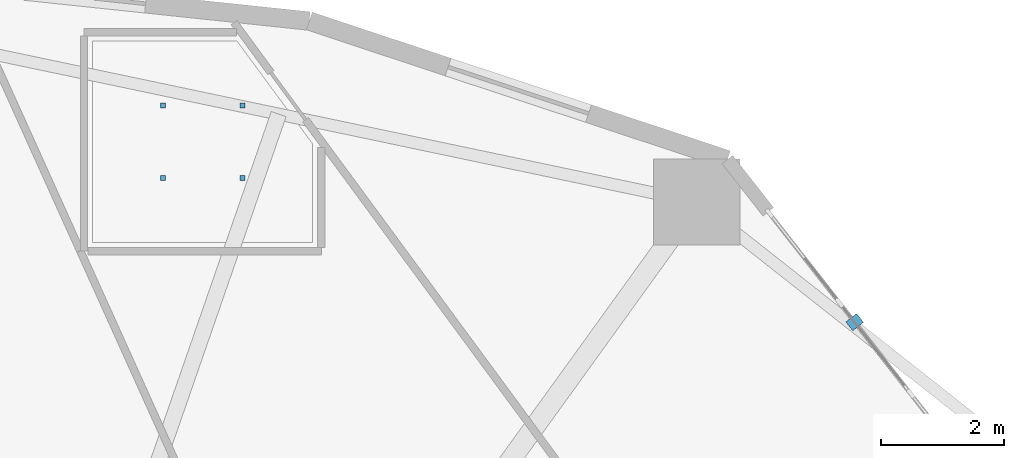
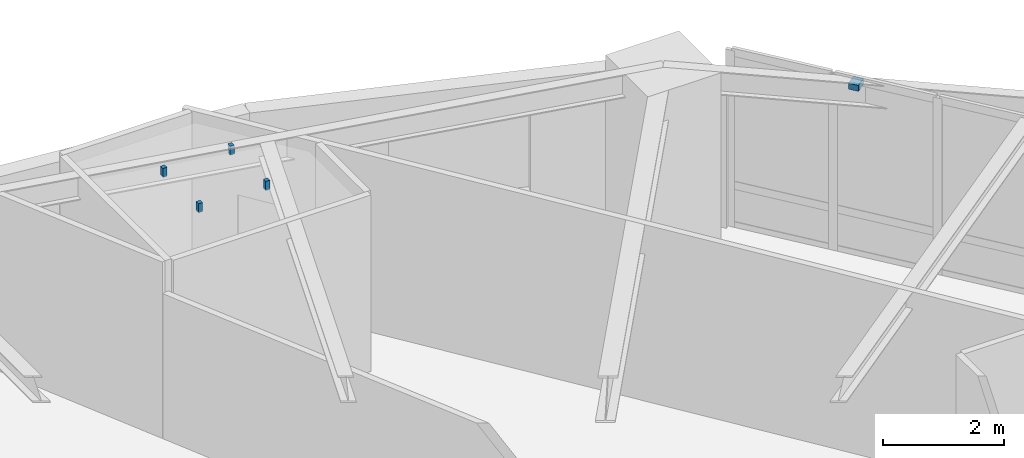
# One storey, part 13 of 18: 5 discrete accessories.
"""IFC4 building model written with IfcOpenShell, lengths in metres."""

from ifc_helpers import new_model, si_unit, direction, frame, origin, origin_2d, place, context, subcontext, project, spatial, rectangle, extrude, material, type_object, element, save


model = new_model("IFC4")

# Units and contexts
model_context = context("Model", 3, precision=1e-05, world=origin(), true_north=direction((0.0, 1.0)))
body_context = subcontext(model_context, "Body", "Model", "MODEL_VIEW")
ifc_project = project(units=[si_unit("LENGTHUNIT", "METRE"), si_unit("AREAUNIT", "SQUARE_METRE"), si_unit("VOLUMEUNIT", "CUBIC_METRE"), si_unit("PLANEANGLEUNIT", "RADIAN"), si_unit("MASSUNIT", "GRAM", prefix="KILO")], contexts=[model_context])

# Site, building, storey
site_placement = place(None, origin())
site = spatial("IfcSite", under=ifc_project, at=site_placement, CompositionType="ELEMENT")
building_placement = place(site_placement, origin())
building = spatial("IfcBuilding", under=site, at=building_placement, Name="Kolvaren Gate Tower and Convention Centre", CompositionType="ELEMENT")
storey_placement = place(building_placement, frame((0.0, 0.0, 30.35009765625)))
storey = spatial("IfcBuildingStorey", under=building, at=storey_placement, Name="L06", CompositionType="ELEMENT", Elevation=30.35009765625)

# Discrete accessories
ifc_material_1 = material(Name="Anodized Architectural Aluminium Alloy 6063-T6", Category="aluminium")
discrete_accessory_type_1 = type_object("IfcDiscreteAccessoryType", Name="ARCH-ACC-BRACKET-120", PredefinedType="BRACKET", material=ifc_material_1)
discrete_accessory_placement = place(storey_placement, frame((46.25146484375, 43.84912109375, 3.389892578125), z_axis=(0.0, 0.0, 1.0), x_axis=(0.616424499081, -0.787414018756, 0.0)))
element("IfcDiscreteAccessory", 1, at=discrete_accessory_placement, inside=storey, type_object=discrete_accessory_type_1, Name="Solar Screen Spandrel Anchor Bracket BK-L06-03", PredefinedType="BRACKET", context=body_context, shape_type="SweptSolid", body=[
    extrude(rectangle(XDim=0.179931640625, YDim=0.219970703125, at=origin_2d()), origin(), (0.0, 0.0, 1.0), 0.1201171875),
])
ifc_material_2 = material(Name="Brushed Stainless Steel Grade 316L", Category="steel")
discrete_accessory_type_2 = type_object("IfcDiscreteAccessoryType", Name="ARCH-ACC-HANGER-80", PredefinedType="BRACKET", material=ifc_material_2)
for number, where, z_axis, x_axis, name in (
    (2, (35.031982421875, 46.18603515625, 3.39013671875), (0.0, 0.0, 1.0), (1.0, 0.0, 0.0), "Cellular Office Ceiling Suspension Hanger Clip 1"),
    (3, (36.318115234375, 46.18603515625, 3.39013671875), (0.0, 0.0, 1.0), (1.0, 0.0, 0.0), "Cellular Office Ceiling Suspension Hanger Clip 2"),
    (4, (35.031982421875, 47.364013671875, 3.39013671875), (0.0, 0.0, 1.0), (1.0, 0.0, 0.0), "Cellular Office Ceiling Suspension Hanger Clip 3"),
    (5, (36.318115234375, 47.364013671875, 3.39013671875), (0.0, 0.0, 1.0), (1.0, 0.0, 0.0), "Cellular Office Ceiling Suspension Hanger Clip 4"),
):
    element("IfcDiscreteAccessory", number, at=place(storey_placement, frame(where, z_axis=z_axis, x_axis=x_axis)), inside=storey, type_object=discrete_accessory_type_2, Name=name, PredefinedType="BRACKET", context=body_context, shape_type="SweptSolid", body=[
        extrude(rectangle(XDim=0.080078125, YDim=0.080078125, at=origin_2d()), origin(), (0.0, 0.0, 1.0), 0.179931640625),
    ])

save(model, "model.ifc")
